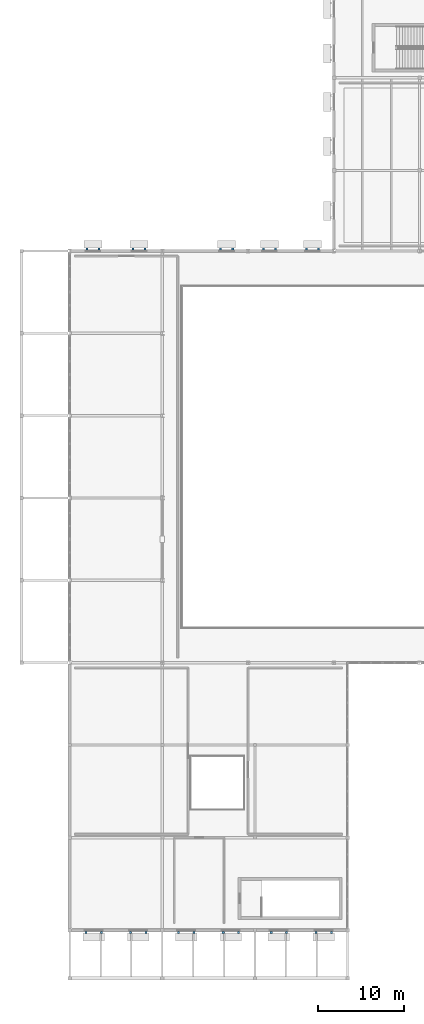
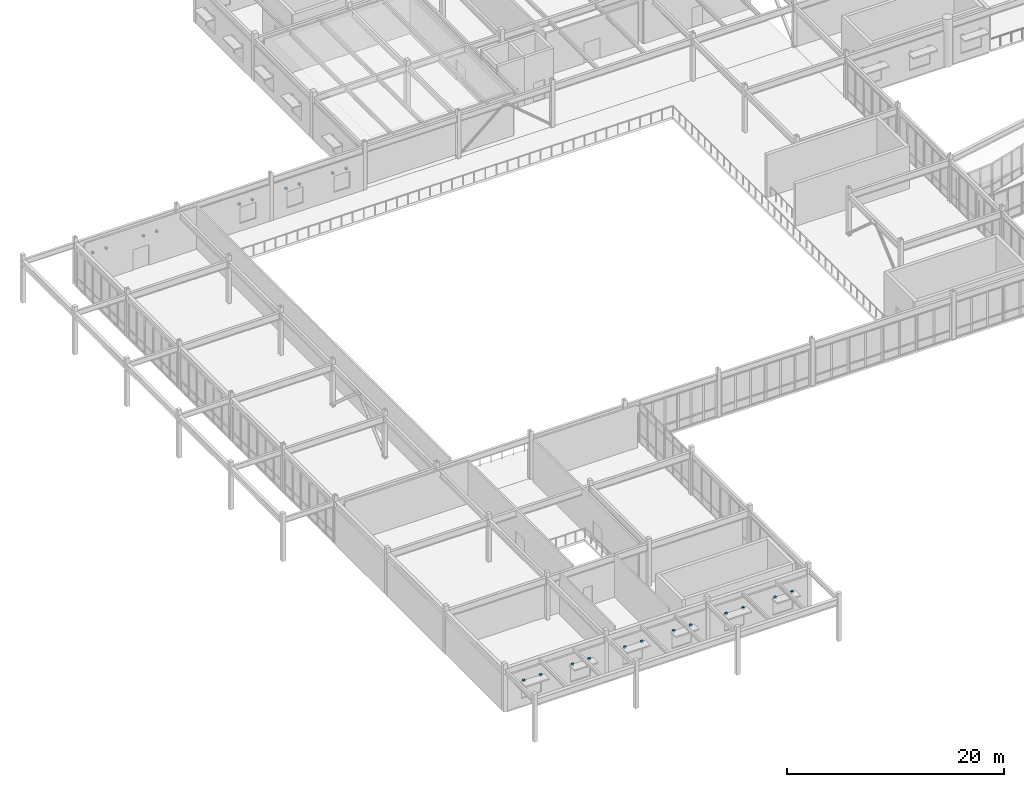
# One storey, part 58 of 68: 22 discrete accessories.
"""IFC4 building model written with IfcOpenShell, lengths in metres."""

from ifc_helpers import new_model, si_unit, direction, frame, origin, origin_2d, place, context, subcontext, project, spatial, rectangle, extrude, material, type_object, element, save


model = new_model("IFC4")

# Units and contexts
model_context = context("Model", 3, precision=1e-05, world=origin(), true_north=direction((0.0, 1.0)))
body_context = subcontext(model_context, "Body", "Model", "MODEL_VIEW")
ifc_project = project(units=[si_unit("LENGTHUNIT", "METRE"), si_unit("AREAUNIT", "SQUARE_METRE"), si_unit("VOLUMEUNIT", "CUBIC_METRE"), si_unit("PLANEANGLEUNIT", "RADIAN"), si_unit("MASSUNIT", "GRAM", prefix="KILO")], contexts=[model_context])

# Site, building, storey
site_placement = place(None, origin())
site = spatial("IfcSite", under=ifc_project, at=site_placement, CompositionType="ELEMENT")
building_placement = place(site_placement, origin())
building = spatial("IfcBuilding", under=site, at=building_placement, Name="Veldera Park Congress Hotel", CompositionType="ELEMENT")
storey_placement = place(building_placement, frame((0.0, 0.0, 10.800048828125)))
storey = spatial("IfcBuildingStorey", under=building, at=storey_placement, Name="L02", CompositionType="ELEMENT", Elevation=10.800048828125)

# Discrete accessories
ifc_material = material(Name="Steel ASTM A992 Gr.50", Category="steel")
discrete_accessory_type = type_object("IfcDiscreteAccessoryType", Name="ACC-BRK160", PredefinedType="BRACKET", material=ifc_material)
for number, where, z_axis, x_axis, name in (
    (1, (-49.193115234375, 27.260009765625, 2.64013671875), (0.0, 0.0, 1.0), (-1.0, 0.0, 0.0), "Shading Steel Outrigger Bracket 59L"),
    (2, (-50.613037109375, 27.260009765625, 2.64013671875), (0.0, 0.0, 1.0), (-1.0, 0.0, 0.0), "Shading Steel Outrigger Bracket 59R"),
    (3, (-54.18701171875, 27.260009765625, 2.64013671875), (0.0, 0.0, 1.0), (-1.0, 0.0, 0.0), "Shading Steel Outrigger Bracket 60L"),
    (4, (-55.60693359375, 27.260009765625, 2.64013671875), (0.0, 0.0, 1.0), (-1.0, 0.0, 0.0), "Shading Steel Outrigger Bracket 60R"),
    (5, (-59.1923828125, 27.260009765625, 2.64013671875), (0.0, 0.0, 1.0), (-1.0, 0.0, 0.0), "Shading Steel Outrigger Bracket 61L"),
    (6, (-60.6123046875, 27.260009765625, 2.64013671875), (0.0, 0.0, 1.0), (-1.0, 0.0, 0.0), "Shading Steel Outrigger Bracket 61R"),
    (7, (-69.3955078125, 27.260009765625, 2.64013671875), (0.0, 0.0, 1.0), (-1.0, 0.0, 0.0), "Shading Steel Outrigger Bracket 62L"),
    (8, (-70.815673828125, 27.260009765625, 2.64013671875), (0.0, 0.0, 1.0), (-1.0, 0.0, 0.0), "Shading Steel Outrigger Bracket 62R"),
    (9, (-74.7880859375, 27.260009765625, 2.64013671875), (0.0, 0.0, 1.0), (-1.0, 0.0, 0.0), "Shading Steel Outrigger Bracket 63L"),
    (10, (-76.208251953125, 27.260009765625, 2.64013671875), (0.0, 0.0, 1.0), (-1.0, 0.0, 0.0), "Shading Steel Outrigger Bracket 63R"),
    (11, (-76.303466796875, -52.449951171875, 2.77001953125), (0.0, 0.0, 1.0), (1.0, 0.0, 0.0), "Shading Steel Outrigger Bracket 75L"),
    (12, (-74.50341796875, -52.449951171875, 2.77001953125), (0.0, 0.0, 1.0), (1.0, 0.0, 0.0), "Shading Steel Outrigger Bracket 75R"),
    (13, (-71.096435546875, -52.449951171875, 2.77001953125), (0.0, 0.0, 1.0), (1.0, 0.0, 0.0), "Shading Steel Outrigger Bracket 76L"),
    (14, (-69.29638671875, -52.449951171875, 2.77001953125), (0.0, 0.0, 1.0), (1.0, 0.0, 0.0), "Shading Steel Outrigger Bracket 76R"),
    (15, (-65.50341796875, -52.449951171875, 2.77001953125), (0.0, 0.0, 1.0), (1.0, 0.0, 0.0), "Shading Steel Outrigger Bracket 77L"),
    (16, (-63.70361328125, -52.449951171875, 2.77001953125), (0.0, 0.0, 1.0), (1.0, 0.0, 0.0), "Shading Steel Outrigger Bracket 77R"),
    (17, (-60.29638671875, -52.449951171875, 2.77001953125), (0.0, 0.0, 1.0), (1.0, 0.0, 0.0), "Shading Steel Outrigger Bracket 78L"),
    (18, (-58.49658203125, -52.449951171875, 2.77001953125), (0.0, 0.0, 1.0), (1.0, 0.0, 0.0), "Shading Steel Outrigger Bracket 78R"),
    (19, (-54.70361328125, -52.449951171875, 2.77001953125), (0.0, 0.0, 1.0), (1.0, 0.0, 0.0), "Shading Steel Outrigger Bracket 79L"),
    (20, (-52.903564453125, -52.449951171875, 2.77001953125), (0.0, 0.0, 1.0), (1.0, 0.0, 0.0), "Shading Steel Outrigger Bracket 79R"),
    (21, (-49.49658203125, -52.449951171875, 2.77001953125), (0.0, 0.0, 1.0), (1.0, 0.0, 0.0), "Shading Steel Outrigger Bracket 80L"),
    (22, (-47.696533203125, -52.449951171875, 2.77001953125), (0.0, 0.0, 1.0), (1.0, 0.0, 0.0), "Shading Steel Outrigger Bracket 80R"),
):
    element("IfcDiscreteAccessory", number, at=place(storey_placement, frame(where, z_axis=z_axis, x_axis=x_axis)), inside=storey, type_object=discrete_accessory_type, Name=name, PredefinedType="BRACKET", context=body_context, shape_type="SweptSolid", body=[
        extrude(rectangle(XDim=0.239990234375, YDim=0.239990234375, at=origin_2d()), origin(), (0.0, 0.0, 1.0), 0.219970703125),
    ])

save(model, "model.ifc")
